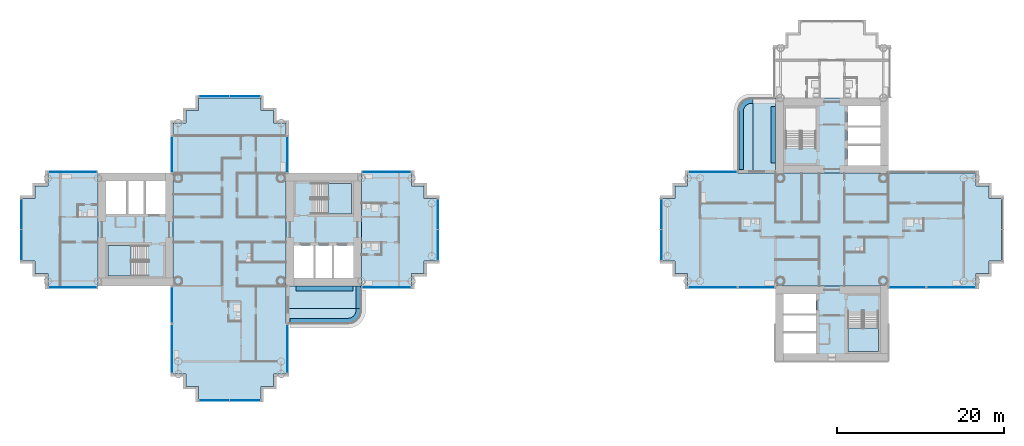
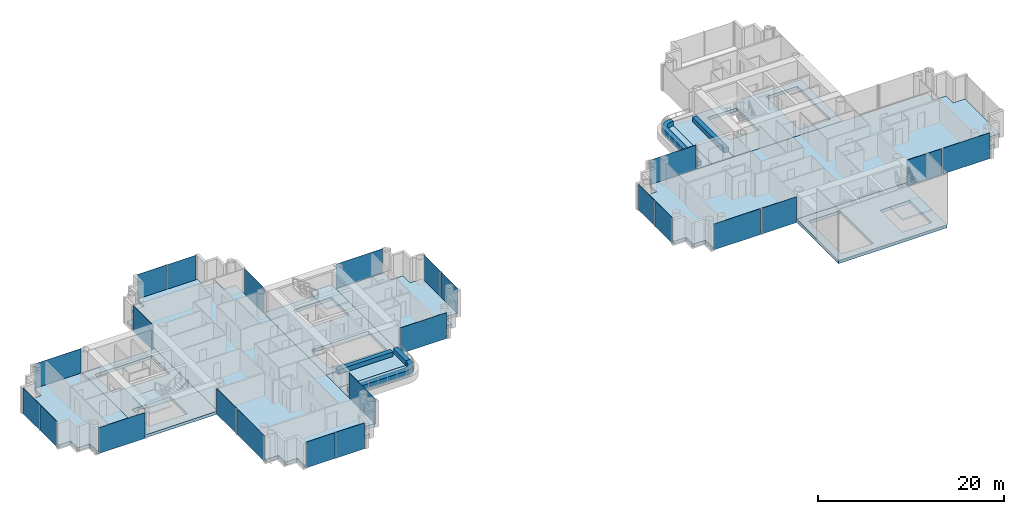
# One storey, part 7 of 21: 24 plates, 20 slabs, 22 elements without a shape of their own.
"""IFC4 building model written with IfcOpenShell, lengths in metres."""

from ifc_helpers import new_model, si_unit, direction, frame, origin, origin_2d, place, context, subcontext, project, spatial, polyline, rectangle, outline, extrude, material, layer, layer_set, type_object, element, aggregate, save


model = new_model("IFC4")

# Units and contexts
model_context = context("Model", 3, precision=1e-05, world=origin(), true_north=direction((0.0, 1.0)))
body_context = subcontext(model_context, "Body", "Model", "MODEL_VIEW")
ifc_project = project(units=[si_unit("LENGTHUNIT", "METRE"), si_unit("AREAUNIT", "SQUARE_METRE"), si_unit("VOLUMEUNIT", "CUBIC_METRE"), si_unit("PLANEANGLEUNIT", "RADIAN"), si_unit("MASSUNIT", "GRAM", prefix="KILO")], contexts=[model_context])

# Site, building, storey
site_placement = place(None, origin())
site = spatial("IfcSite", under=ifc_project, at=site_placement, CompositionType="ELEMENT")
building_placement = place(site_placement, origin())
building = spatial("IfcBuilding", under=site, at=building_placement, Name="Ipe Terrace Towers", CompositionType="ELEMENT")
storey_placement = place(building_placement, frame((0.0, 0.0, 103.800048828125)))
storey = spatial("IfcBuildingStorey", under=building, at=storey_placement, Name="L28", CompositionType="ELEMENT", Elevation=103.800048828125)

# Slabs
ifc_material_1 = material(Name="Concrete C30/37", Category="concrete")
ifc_layer_1 = layer(ifc_material_1, 0.199951171875)
ifc_layer_set_1 = layer_set([ifc_layer_1], Name="BALCONY SLAB 200")
slab_type_1 = type_object("IfcSlabType", Name="BALCONY SLAB 200", PredefinedType="FLOOR", material=ifc_layer_set_1)
slab_1_placement = place(storey_placement, frame((0.0, 0.0, -0.219970703125)))
element("IfcSlab", 1, at=slab_1_placement, inside=storey, type_object=slab_type_1, Name="balcony slab", PredefinedType="FLOOR", context=body_context, shape_type="SweptSolid", body=[
    extrude(outline(polyline([(-20.25, -6.75), (-29.25, -6.75), (-29.25, -9.449951171875), (-20.25, -9.449951171875), (-20.25, -6.75)])), origin(), (0.0, 0.0, 1.0), 0.199951171875),
])
slab_2_placement = place(storey_placement, frame((0.0, 0.0, -0.219970703125)))
element("IfcSlab", 2, at=slab_2_placement, inside=storey, type_object=slab_type_1, Name="balcony slab", PredefinedType="FLOOR", context=body_context, shape_type="SweptSolid", body=[
    extrude(outline(polyline([(-29.25, -11.25), (-21.85009765625, -11.25), (-21.64111328125, -11.236083984375), (-21.43603515625, -11.195068359375), (-21.238037109375, -11.1279296875), (-21.050048828125, -11.035888671875), (-20.8759765625, -10.9189453125), (-20.718994140625, -10.781005859375), (-20.5810546875, -10.6240234375), (-20.464111328125, -10.449951171875), (-20.3720703125, -10.261962890625), (-20.304931640625, -10.06396484375), (-20.263916015625, -9.85888671875), (-20.25, -9.64990234375), (-20.25, -9.449951171875), (-29.25, -9.449951171875), (-29.25, -11.25)])), origin(), (0.0, 0.0, 1.0), 0.199951171875),
])
slab_3_placement = place(storey_placement, frame((0.0, 0.0, -0.219970703125)))
element("IfcSlab", 3, at=slab_3_placement, inside=storey, type_object=slab_type_1, Name="balcony slab", PredefinedType="FLOOR", context=body_context, shape_type="SweptSolid", body=[
    extrude(outline(polyline([(29.25, 15.75), (26.550048828125, 15.75), (26.550048828125, 6.75), (29.25, 6.75), (29.25, 15.75)])), origin(), (0.0, 0.0, 1.0), 0.199951171875),
])
slab_4_placement = place(storey_placement, frame((0.0, 0.0, -0.219970703125)))
element("IfcSlab", 4, at=slab_4_placement, inside=storey, type_object=slab_type_1, Name="balcony slab", PredefinedType="FLOOR", context=body_context, shape_type="SweptSolid", body=[
    extrude(outline(polyline([(24.75, 6.75), (26.550048828125, 6.75), (26.550048828125, 15.75), (26.35009765625, 15.75), (26.14111328125, 15.736083984375), (25.93603515625, 15.695068359375), (25.738037109375, 15.6279296875), (25.550048828125, 15.535888671875), (25.3759765625, 15.4189453125), (25.218994140625, 15.281005859375), (25.0810546875, 15.1240234375), (24.964111328125, 14.949951171875), (24.8720703125, 14.761962890625), (24.804931640625, 14.56396484375), (24.763916015625, 14.35888671875), (24.75, 14.14990234375), (24.75, 6.75)])), origin(), (0.0, 0.0, 1.0), 0.199951171875),
])
ifc_material_2 = material(Name="Concrete C30/37", Category="concrete")
ifc_layer_2 = layer(ifc_material_2, 0.39990234375)
ifc_layer_set_2 = layer_set([ifc_layer_2], Name="CORE FLOOR SLAB 400 C30-37")
slab_type_2 = type_object("IfcSlabType", Name="CORE FLOOR SLAB 400 C30-37", PredefinedType="FLOOR", material=ifc_layer_set_2)
slab_5_placement = place(storey_placement, frame((0.0, 0.0, -0.400146484375)))
element("IfcSlab", 5, at=slab_5_placement, inside=storey, type_object=slab_type_2, Name="Core floor T1-C1", PredefinedType="FLOOR", context=body_context, shape_type="SweptSolid", body=[
    extrude(outline(polyline([(-29.25, -6.75), (-29.25, 6.75), (-20.25, 6.75), (-20.25, -6.75), (-29.25, -6.75)]), holes=[polyline([(-28.300048828125, -5.800048828125), (-21.199951171875, -5.800048828125), (-21.199951171875, -1.89990234375), (-28.300048828125, -1.89990234375), (-28.300048828125, -5.800048828125)]), polyline([(-26.199951171875, 5.550048828125), (-26.199951171875, 1.89990234375), (-21.449951171875, 1.89990234375), (-21.449951171875, 5.550048828125), (-26.199951171875, 5.550048828125)])]), origin(), (0.0, 0.0, 1.0), 0.400146484375),
])
slab_6_placement = place(storey_placement, frame((0.0, 0.0, -0.400146484375)))
element("IfcSlab", 6, at=slab_6_placement, inside=storey, type_object=slab_type_2, Name="Core floor T1-C2", PredefinedType="FLOOR", context=body_context, shape_type="SweptSolid", body=[
    extrude(outline(polyline([(-51.75, -6.75), (-51.75, 6.75), (-42.75, 6.75), (-42.75, -6.75), (-51.75, -6.75)]), holes=[polyline([(-45.800048828125, -5.550048828125), (-45.800048828125, -1.89990234375), (-50.550048828125, -1.89990234375), (-50.550048828125, -5.550048828125), (-45.800048828125, -5.550048828125)]), polyline([(-50.800048828125, 1.89990234375), (-43.699951171875, 1.89990234375), (-43.699951171875, 5.800048828125), (-50.800048828125, 5.800048828125), (-50.800048828125, 1.89990234375)])]), origin(), (0.0, 0.0, 1.0), 0.400146484375),
])
slab_7_placement = place(storey_placement, frame((0.0, 0.0, -0.400146484375)))
element("IfcSlab", 7, at=slab_7_placement, inside=storey, type_object=slab_type_2, Name="Core floor T2-C1", PredefinedType="FLOOR", context=body_context, shape_type="SweptSolid", body=[
    extrude(outline(polyline([(29.25, 6.75), (29.25, 15.75), (42.75, 15.75), (42.75, 6.75), (29.25, 6.75)]), holes=[polyline([(41.800048828125, 7.699951171875), (41.800048828125, 14.800048828125), (37.89990234375, 14.800048828125), (37.89990234375, 7.699951171875), (41.800048828125, 7.699951171875)]), polyline([(30.449951171875, 9.800048828125), (34.10009765625, 9.800048828125), (34.10009765625, 14.550048828125), (30.449951171875, 14.550048828125), (30.449951171875, 9.800048828125)])]), origin(), (0.0, 0.0, 1.0), 0.400146484375),
])
slab_8_placement = place(storey_placement, frame((0.0, 0.0, -0.400146484375)))
element("IfcSlab", 8, at=slab_8_placement, inside=storey, type_object=slab_type_2, Name="Core floor T2-C2", PredefinedType="FLOOR", context=body_context, shape_type="SweptSolid", body=[
    extrude(outline(polyline([(29.25, -15.75), (29.25, -6.75), (42.75, -6.75), (42.75, -15.75), (29.25, -15.75)]), holes=[polyline([(34.10009765625, -14.800048828125), (34.10009765625, -7.699951171875), (30.199951171875, -7.699951171875), (30.199951171875, -14.800048828125), (34.10009765625, -14.800048828125)]), polyline([(41.550048828125, -9.800048828125), (37.89990234375, -9.800048828125), (37.89990234375, -14.550048828125), (41.550048828125, -14.550048828125), (41.550048828125, -9.800048828125)])]), origin(), (0.0, 0.0, 1.0), 0.400146484375),
])

# Stair, slab
ifc_material_3 = material(Name="Concrete C30/37", Category="concrete")
stair_type = type_object("IfcStairType", Name="Protected exit stair", PredefinedType="HALF_TURN_STAIR", material=ifc_material_3)
stair_1_placement = place(storey_placement, origin())
stair_1 = element("IfcStair", 9, at=stair_1_placement, inside=storey, type_object=stair_type, Name="L28 Exit stair T1-C1", PredefinedType="HALF_TURN_STAIR")
ifc_material_4 = material(Name="Concrete C30/37", Category="concrete")
ifc_layer_3 = layer(ifc_material_4, 0.199951171875)
ifc_layer_set_3 = layer_set([ifc_layer_3], Name="Exit stair landing 200")
slab_type_3 = type_object("IfcSlabType", Name="Exit stair landing 200", PredefinedType="LANDING", material=ifc_layer_set_3)
slab_9_placement = place(storey_placement, frame((0.0, 0.0, 1.5)))
slab_9 = element("IfcSlab", 10, at=slab_9_placement, type_object=slab_type_3, Name="T1-ST1 landing 1", PredefinedType="LANDING", context=body_context, shape_type="SweptSolid", body=[
    extrude(outline(polyline([(-24.219970703125, 1.89990234375), (-21.449951171875, 1.89990234375), (-21.449951171875, 5.550048828125), (-24.219970703125, 5.550048828125), (-24.219970703125, 1.89990234375)])), origin(), (0.0, 0.0, 1.0), 0.199951171875),
])
aggregate(stair_1, [slab_9])

stair_2_placement = place(storey_placement, origin())
stair_2 = element("IfcStair", 11, at=stair_2_placement, inside=storey, type_object=stair_type, Name="L28 Exit stair T1-C2", PredefinedType="HALF_TURN_STAIR")
slab_10_placement = place(storey_placement, frame((0.0, 0.0, 1.5)))
slab_10 = element("IfcSlab", 12, at=slab_10_placement, type_object=slab_type_3, Name="T1-ST2 landing 1", PredefinedType="LANDING", context=body_context, shape_type="SweptSolid", body=[
    extrude(outline(polyline([(-47.780029296875, -1.89990234375), (-50.550048828125, -1.89990234375), (-50.550048828125, -5.550048828125), (-47.780029296875, -5.550048828125), (-47.780029296875, -1.89990234375)])), origin(), (0.0, 0.0, 1.0), 0.199951171875),
])
aggregate(stair_2, [slab_10])

stair_3_placement = place(storey_placement, origin())
stair_3 = element("IfcStair", 13, at=stair_3_placement, inside=storey, type_object=stair_type, Name="L28 Exit stair T2-C2", PredefinedType="HALF_TURN_STAIR")
slab_11_placement = place(storey_placement, frame((0.0, 0.0, 1.5)))
slab_11 = element("IfcSlab", 14, at=slab_11_placement, type_object=slab_type_3, Name="T2-ST2 landing 1", PredefinedType="LANDING", context=body_context, shape_type="SweptSolid", body=[
    extrude(outline(polyline([(37.89990234375, -11.780029296875), (37.89990234375, -14.550048828125), (41.550048828125, -14.550048828125), (41.550048828125, -11.780029296875), (37.89990234375, -11.780029296875)])), origin(), (0.0, 0.0, 1.0), 0.199951171875),
])
aggregate(stair_3, [slab_11])

# Slabs
ifc_material_5 = material(Name="Concrete C40/50", Category="concrete")
ifc_layer_4 = layer(ifc_material_5, 0.39990234375)
ifc_layer_set_4 = layer_set([ifc_layer_4], Name="FLAT PLATE SLAB 400 C40-50")
slab_type_4 = type_object("IfcSlabType", Name="FLAT PLATE SLAB 400 C40-50", PredefinedType="FLOOR", material=ifc_layer_set_4)
slab_12_placement = place(storey_placement, frame((0.0, 0.0, -0.400146484375)))
element("IfcSlab", 15, at=slab_12_placement, inside=storey, type_object=slab_type_4, Name="Slab T1-FS-Z21", PredefinedType="FLOOR", context=body_context, shape_type="SweptSolid", body=[
    extrude(outline(polyline([(-30.75, -17.25), (-30.75, -18.75), (-32.25, -18.75), (-32.25, -20.25), (-39.75, -20.25), (-39.75, -18.75), (-41.25, -18.75), (-41.25, -17.25), (-42.75, -17.25), (-42.75, -6.75), (-42.75, 6.75), (-42.75, 12.75), (-41.25, 12.75), (-41.25, 14.25), (-39.75, 14.25), (-39.75, 15.75), (-32.25, 15.75), (-32.25, 14.25), (-30.75, 14.25), (-30.75, 12.75), (-29.25, 12.75), (-29.25, 6.75), (-29.25, -6.75), (-29.25, -17.25), (-30.75, -17.25)])), origin(), (0.0, 0.0, 1.0), 0.400146484375),
])
slab_13_placement = place(storey_placement, frame((0.0, 0.0, -0.400146484375)))
element("IfcSlab", 16, at=slab_13_placement, inside=storey, type_object=slab_type_4, Name="Slab T1-FS-Z22", PredefinedType="FLOOR", context=body_context, shape_type="SweptSolid", body=[
    extrude(outline(polyline([(-57.75, -6.75), (-57.75, -5.25), (-59.25, -5.25), (-59.25, -3.75), (-60.75, -3.75), (-60.75, 3.75), (-59.25, 3.75), (-59.25, 5.25), (-57.75, 5.25), (-57.75, 6.75), (-51.75, 6.75), (-51.75, -6.75), (-57.75, -6.75)])), origin(), (0.0, 0.0, 1.0), 0.400146484375),
])
slab_14_placement = place(storey_placement, frame((0.0, 0.0, -0.400146484375)))
element("IfcSlab", 17, at=slab_14_placement, inside=storey, type_object=slab_type_4, Name="Slab T1-FS-Z23", PredefinedType="FLOOR", context=body_context, shape_type="SweptSolid", body=[
    extrude(outline(polyline([(-14.25, 5.25), (-12.75, 5.25), (-12.75, 3.75), (-11.25, 3.75), (-11.25, -3.75), (-12.75, -3.75), (-12.75, -5.25), (-14.25, -5.25), (-14.25, -6.75), (-20.25, -6.75), (-20.25, 6.75), (-14.25, 6.75), (-14.25, 5.25)])), origin(), (0.0, 0.0, 1.0), 0.400146484375),
])
slab_15_placement = place(storey_placement, frame((0.0, 0.0, -0.400146484375)))
element("IfcSlab", 18, at=slab_15_placement, inside=storey, type_object=slab_type_4, Name="Slab T2-FS-Z21", PredefinedType="FLOOR", context=body_context, shape_type="SweptSolid", body=[
    extrude(outline(polyline([(53.25, 5.25), (54.75, 5.25), (54.75, 3.75), (56.25, 3.75), (56.25, -3.75), (54.75, -3.75), (54.75, -5.25), (53.25, -5.25), (53.25, -6.75), (42.75, -6.75), (29.25, -6.75), (18.75, -6.75), (18.75, -5.25), (17.25, -5.25), (17.25, -3.75), (15.75, -3.75), (15.75, 3.75), (17.25, 3.75), (17.25, 5.25), (18.75, 5.25), (18.75, 6.75), (29.25, 6.75), (42.75, 6.75), (53.25, 6.75), (53.25, 5.25)])), origin(), (0.0, 0.0, 1.0), 0.400146484375),
])
ifc_material_6 = material(Name="Concrete C30/37", Category="concrete")
ifc_layer_5 = layer(ifc_material_6, 0.60009765625)
ifc_layer_set_5 = layer_set([ifc_layer_5], Name="PLANTER TROUGH 550 x 600")
slab_type_5 = type_object("IfcSlabType", Name="PLANTER TROUGH 550 x 600", PredefinedType="USERDEFINED", material=ifc_layer_set_5)
slab_16_placement = place(storey_placement, frame((0.0, 0.0, -0.02001953125)))
element("IfcSlab", 19, at=slab_16_placement, inside=storey, type_object=slab_type_5, Name="planter", ObjectType="PLANTER", PredefinedType="USERDEFINED", context=body_context, shape_type="SweptSolid", body=[
    extrude(outline(polyline([(-20.360107421875, -6.75), (-20.909912109375, -6.75), (-20.909912109375, -9.449951171875), (-20.360107421875, -9.449951171875), (-20.360107421875, -6.75)])), origin(), (0.0, 0.0, 1.0), 0.599853515625),
])
slab_17_placement = place(storey_placement, frame((0.0, 0.0, -0.02001953125)))
element("IfcSlab", 20, at=slab_17_placement, inside=storey, type_object=slab_type_5, Name="planter", ObjectType="PLANTER", PredefinedType="USERDEFINED", context=body_context, shape_type="SweptSolid", body=[
    extrude(outline(polyline([(-20.943115234375, -9.89306640625), (-20.98291015625, -10.009033203125), (-21.037109375, -10.118896484375), (-21.10498046875, -10.220947265625), (-21.18603515625, -10.31396484375), (-21.279052734375, -10.39501953125), (-21.381103515625, -10.462890625), (-21.490966796875, -10.51708984375), (-21.60693359375, -10.556884765625), (-21.72705078125, -10.5810546875), (-21.8720703125, -10.590087890625), (-28.800048828125, -10.590087890625), (-28.800048828125, -11.139892578125), (-21.863037109375, -11.139892578125), (-21.844970703125, -11.138916015625), (-21.674072265625, -11.1279296875), (-21.637939453125, -11.1240234375), (-21.48193359375, -11.093017578125), (-21.447021484375, -11.0830078125), (-21.297119140625, -11.031982421875), (-21.263916015625, -11.01806640625), (-21.12109375, -10.947998046875), (-21.090087890625, -10.929931640625), (-20.9580078125, -10.842041015625), (-20.929931640625, -10.820068359375), (-20.81005859375, -10.715087890625), (-20.784912109375, -10.68994140625), (-20.679931640625, -10.570068359375), (-20.657958984375, -10.5419921875), (-20.570068359375, -10.409912109375), (-20.552001953125, -10.37890625), (-20.48193359375, -10.236083984375), (-20.468017578125, -10.202880859375), (-20.4169921875, -10.052978515625), (-20.406982421875, -10.01806640625), (-20.3759765625, -9.862060546875), (-20.3720703125, -9.825927734375), (-20.361083984375, -9.655029296875), (-20.360107421875, -9.636962890625), (-20.360107421875, -9.449951171875), (-20.909912109375, -9.449951171875), (-20.909912109375, -9.6279296875), (-20.9189453125, -9.77294921875), (-20.943115234375, -9.89306640625)])), origin(), (0.0, 0.0, 1.0), 0.599853515625),
])
slab_18_placement = place(storey_placement, frame((0.0, 0.0, -0.02001953125)))
element("IfcSlab", 21, at=slab_18_placement, inside=storey, type_object=slab_type_5, Name="planter", ObjectType="PLANTER", PredefinedType="USERDEFINED", context=body_context, shape_type="SweptSolid", body=[
    extrude(outline(polyline([(-28.050048828125, -6.75), (-28.050048828125, -7.300048828125), (-21.25, -7.300048828125), (-21.25, -6.75), (-28.050048828125, -6.75)])), origin(), (0.0, 0.0, 1.0), 0.599853515625),
])
slab_19_placement = place(storey_placement, frame((0.0, 0.0, -0.02001953125)))
element("IfcSlab", 22, at=slab_19_placement, inside=storey, type_object=slab_type_5, Name="planter", ObjectType="PLANTER", PredefinedType="USERDEFINED", context=body_context, shape_type="SweptSolid", body=[
    extrude(outline(polyline([(26.10693359375, 15.056884765625), (26.22705078125, 15.0810546875), (26.3720703125, 15.090087890625), (26.550048828125, 15.090087890625), (26.550048828125, 15.639892578125), (26.363037109375, 15.639892578125), (26.344970703125, 15.638916015625), (26.174072265625, 15.6279296875), (26.137939453125, 15.6240234375), (25.98193359375, 15.593017578125), (25.947021484375, 15.5830078125), (25.797119140625, 15.531982421875), (25.763916015625, 15.51806640625), (25.62109375, 15.447998046875), (25.590087890625, 15.429931640625), (25.4580078125, 15.342041015625), (25.429931640625, 15.320068359375), (25.31005859375, 15.215087890625), (25.284912109375, 15.18994140625), (25.179931640625, 15.070068359375), (25.157958984375, 15.0419921875), (25.070068359375, 14.909912109375), (25.052001953125, 14.87890625), (24.98193359375, 14.736083984375), (24.968017578125, 14.702880859375), (24.9169921875, 14.552978515625), (24.906982421875, 14.51806640625), (24.8759765625, 14.362060546875), (24.8720703125, 14.325927734375), (24.861083984375, 14.155029296875), (24.860107421875, 14.136962890625), (24.860107421875, 7.199951171875), (25.409912109375, 7.199951171875), (25.409912109375, 14.1279296875), (25.4189453125, 14.27294921875), (25.443115234375, 14.39306640625), (25.48291015625, 14.509033203125), (25.537109375, 14.618896484375), (25.60498046875, 14.720947265625), (25.68603515625, 14.81396484375), (25.779052734375, 14.89501953125), (25.881103515625, 14.962890625), (25.990966796875, 15.01708984375), (26.10693359375, 15.056884765625)])), origin(), (0.0, 0.0, 1.0), 0.599853515625),
])
slab_20_placement = place(storey_placement, frame((0.0, 0.0, -0.02001953125)))
element("IfcSlab", 23, at=slab_20_placement, inside=storey, type_object=slab_type_5, Name="planter", ObjectType="PLANTER", PredefinedType="USERDEFINED", context=body_context, shape_type="SweptSolid", body=[
    extrude(outline(polyline([(29.25, 7.949951171875), (29.25, 14.75), (28.699951171875, 14.75), (28.699951171875, 7.949951171875), (29.25, 7.949951171875)])), origin(), (0.0, 0.0, 1.0), 0.599853515625),
])

# Curtain wall, plate
ifc_material_7 = material(Name="Aluminium alloy 6063-T6", Category="aluminium")
ifc_layer_6 = layer(ifc_material_7, 0.320068359375)
ifc_layer_set_6 = layer_set([ifc_layer_6], Name="TOWER UNITISED CURTAIN WALL")
curtain_wall_type = type_object("IfcCurtainWallType", Name="TOWER UNITISED CURTAIN WALL", PredefinedType="NOTDEFINED", material=ifc_layer_set_6)
curtain_wall_1_placement = place(storey_placement, origin())
curtain_wall_1 = element("IfcCurtainWall", 24, at=curtain_wall_1_placement, inside=storey, type_object=curtain_wall_type, Name="T1-CW-L28-04a curtain wall", PredefinedType="NOTDEFINED")
ifc_material_8 = material(Name="Glass, clear laminated", Category="glass")
ifc_layer_7 = layer(ifc_material_8, 0.031982421875)
ifc_layer_set_7 = layer_set([ifc_layer_7], Name="TOWER UNITISED GLASS PANEL 32")
plate_type = type_object("IfcPlateType", Name="TOWER UNITISED GLASS PANEL 32", PredefinedType="CURTAIN_PANEL", material=ifc_layer_set_7)
plate_1_placement = place(storey_placement, frame((-54.75048828125, -6.909912109375, -0.300048828125), z_axis=(0.0, 0.0, 1.0), x_axis=(1.0, 0.0, 0.0)))
plate_1 = element("IfcPlate", 25, at=plate_1_placement, type_object=plate_type, Name="T1-CW-L28-04a panel 1", PredefinedType="CURTAIN_PANEL", context=body_context, shape_type="SweptSolid", body=[
    extrude(rectangle(XDim=5.759033203125, YDim=0.031982421875, at=origin_2d()), origin(), (0.0, 0.0, 1.0), 3.39990234375),
])
aggregate(curtain_wall_1, [plate_1])

curtain_wall_2_placement = place(storey_placement, origin())
curtain_wall_2 = element("IfcCurtainWall", 26, at=curtain_wall_2_placement, inside=storey, type_object=curtain_wall_type, Name="T1-CW-L28-06a curtain wall", PredefinedType="NOTDEFINED")
plate_2_placement = place(storey_placement, frame((-42.909912109375, -9.0, -0.300048828125), z_axis=(0.0, 0.0, 1.0), x_axis=(0.0, -1.0, 0.0)))
plate_2 = element("IfcPlate", 27, at=plate_2_placement, type_object=plate_type, Name="T1-CW-L28-06a panel 1", PredefinedType="CURTAIN_PANEL", context=body_context, shape_type="SweptSolid", body=[
    extrude(rectangle(XDim=4.260009765625, YDim=0.031982421875, at=origin_2d()), origin(), (0.0, 0.0, 1.0), 3.39990234375),
])
aggregate(curtain_wall_2, [plate_2])

curtain_wall_3_placement = place(storey_placement, origin())
curtain_wall_3 = element("IfcCurtainWall", 28, at=curtain_wall_3_placement, inside=storey, type_object=curtain_wall_type, Name="T1-CW-L28-07a curtain wall", PredefinedType="NOTDEFINED")
plate_3_placement = place(storey_placement, frame((-42.909912109375, -14.25, -0.300048828125), z_axis=(0.0, 0.0, 1.0), x_axis=(0.0, -1.0, 0.0)))
plate_3 = element("IfcPlate", 29, at=plate_3_placement, type_object=plate_type, Name="T1-CW-L28-07a panel 1", PredefinedType="CURTAIN_PANEL", context=body_context, shape_type="SweptSolid", body=[
    extrude(rectangle(XDim=5.760009765625, YDim=0.031982421875, at=origin_2d()), origin(), (0.0, 0.0, 1.0), 3.39990234375),
])
aggregate(curtain_wall_3, [plate_3])

# Curtain wall, plates
curtain_wall_4_placement = place(storey_placement, origin())
curtain_wall_4 = element("IfcCurtainWall", 30, at=curtain_wall_4_placement, inside=storey, type_object=curtain_wall_type, Name="T1-CW-L28-12a curtain wall", PredefinedType="NOTDEFINED")
plate_4_placement = place(storey_placement, frame((-37.831298828125, -20.409912109375, -0.300048828125), z_axis=(0.0, 0.0, 1.0), x_axis=(1.0, 0.0, 0.0)))
plate_4 = element("IfcPlate", 31, at=plate_4_placement, type_object=plate_type, Name="T1-CW-L28-12a panel 1", PredefinedType="CURTAIN_PANEL", context=body_context, shape_type="SweptSolid", body=[
    extrude(rectangle(XDim=3.597412109375, YDim=0.031982421875, at=origin_2d()), origin(), (0.0, 0.0, 1.0), 3.39990234375),
])
plate_5_placement = place(storey_placement, frame((-34.168701171875, -20.409912109375, -0.300048828125), z_axis=(0.0, 0.0, 1.0), x_axis=(1.0, 0.0, 0.0)))
plate_5 = element("IfcPlate", 32, at=plate_5_placement, type_object=plate_type, Name="T1-CW-L28-12a panel 2", PredefinedType="CURTAIN_PANEL", context=body_context, shape_type="SweptSolid", body=[
    extrude(rectangle(XDim=3.597412109375, YDim=0.031982421875, at=origin_2d()), origin(), (0.0, 0.0, 1.0), 3.39990234375),
])
aggregate(curtain_wall_4, [plate_4, plate_5])

# Curtain wall, plate
curtain_wall_5_placement = place(storey_placement, origin())
curtain_wall_5 = element("IfcCurtainWall", 33, at=curtain_wall_5_placement, inside=storey, type_object=curtain_wall_type, Name="T1-CW-L28-17a curtain wall", PredefinedType="NOTDEFINED")
plate_6_placement = place(storey_placement, frame((-29.090087890625, -14.25, -0.300048828125), z_axis=(0.0, 0.0, 1.0), x_axis=(0.0, 1.0, 0.0)))
plate_6 = element("IfcPlate", 34, at=plate_6_placement, type_object=plate_type, Name="T1-CW-L28-17a panel 1", PredefinedType="CURTAIN_PANEL", context=body_context, shape_type="SweptSolid", body=[
    extrude(rectangle(XDim=5.760009765625, YDim=0.031982421875, at=origin_2d()), origin(), (0.0, 0.0, 1.0), 3.39990234375),
])
aggregate(curtain_wall_5, [plate_6])

curtain_wall_6_placement = place(storey_placement, origin())
curtain_wall_6 = element("IfcCurtainWall", 35, at=curtain_wall_6_placement, inside=storey, type_object=curtain_wall_type, Name="T1-CW-L28-20b curtain wall", PredefinedType="NOTDEFINED")
plate_7_placement = place(storey_placement, frame((-17.24951171875, -6.909912109375, -0.300048828125), z_axis=(0.0, 0.0, 1.0), x_axis=(1.0, 0.0, 0.0)))
plate_7 = element("IfcPlate", 36, at=plate_7_placement, type_object=plate_type, Name="T1-CW-L28-20b panel 1", PredefinedType="CURTAIN_PANEL", context=body_context, shape_type="SweptSolid", body=[
    extrude(rectangle(XDim=5.759033203125, YDim=0.031982421875, at=origin_2d()), origin(), (0.0, 0.0, 1.0), 3.39990234375),
])
aggregate(curtain_wall_6, [plate_7])

# Curtain wall, plates
curtain_wall_7_placement = place(storey_placement, origin())
curtain_wall_7 = element("IfcCurtainWall", 37, at=curtain_wall_7_placement, inside=storey, type_object=curtain_wall_type, Name="T1-CW-L28-25a curtain wall", PredefinedType="NOTDEFINED")
plate_8_placement = place(storey_placement, frame((-11.090087890625, -1.831298828125, -0.300048828125), z_axis=(0.0, 0.0, 1.0), x_axis=(0.0, 1.0, 0.0)))
plate_8 = element("IfcPlate", 38, at=plate_8_placement, type_object=plate_type, Name="T1-CW-L28-25a panel 1", PredefinedType="CURTAIN_PANEL", context=body_context, shape_type="SweptSolid", body=[
    extrude(rectangle(XDim=3.597412109375, YDim=0.031982421875, at=origin_2d()), origin(), (0.0, 0.0, 1.0), 3.39990234375),
])
plate_9_placement = place(storey_placement, frame((-11.090087890625, 1.831298828125, -0.300048828125), z_axis=(0.0, 0.0, 1.0), x_axis=(0.0, 1.0, 0.0)))
plate_9 = element("IfcPlate", 39, at=plate_9_placement, type_object=plate_type, Name="T1-CW-L28-25a panel 2", PredefinedType="CURTAIN_PANEL", context=body_context, shape_type="SweptSolid", body=[
    extrude(rectangle(XDim=3.597412109375, YDim=0.031982421875, at=origin_2d()), origin(), (0.0, 0.0, 1.0), 3.39990234375),
])
aggregate(curtain_wall_7, [plate_8, plate_9])

# Curtain wall, plate
curtain_wall_8_placement = place(storey_placement, origin())
curtain_wall_8 = element("IfcCurtainWall", 40, at=curtain_wall_8_placement, inside=storey, type_object=curtain_wall_type, Name="T1-CW-L28-30a curtain wall", PredefinedType="NOTDEFINED")
plate_10_placement = place(storey_placement, frame((-17.24951171875, 6.909912109375, -0.300048828125), z_axis=(0.0, 0.0, 1.0), x_axis=(-1.0, 0.0, 0.0)))
plate_10 = element("IfcPlate", 41, at=plate_10_placement, type_object=plate_type, Name="T1-CW-L28-30a panel 1", PredefinedType="CURTAIN_PANEL", context=body_context, shape_type="SweptSolid", body=[
    extrude(rectangle(XDim=5.759033203125, YDim=0.031982421875, at=origin_2d()), origin(), (0.0, 0.0, 1.0), 3.39990234375),
])
aggregate(curtain_wall_8, [plate_10])

curtain_wall_9_placement = place(storey_placement, origin())
curtain_wall_9 = element("IfcCurtainWall", 42, at=curtain_wall_9_placement, inside=storey, type_object=curtain_wall_type, Name="T1-CW-L28-32a curtain wall", PredefinedType="NOTDEFINED")
plate_11_placement = place(storey_placement, frame((-29.090087890625, 9.0, -0.300048828125), z_axis=(0.0, 0.0, 1.0), x_axis=(0.0, 1.0, 0.0)))
plate_11 = element("IfcPlate", 43, at=plate_11_placement, type_object=plate_type, Name="T1-CW-L28-32a panel 1", PredefinedType="CURTAIN_PANEL", context=body_context, shape_type="SweptSolid", body=[
    extrude(rectangle(XDim=4.260009765625, YDim=0.031982421875, at=origin_2d()), origin(), (0.0, 0.0, 1.0), 3.39990234375),
])
aggregate(curtain_wall_9, [plate_11])

# Curtain wall, plates
curtain_wall_10_placement = place(storey_placement, origin())
curtain_wall_10 = element("IfcCurtainWall", 44, at=curtain_wall_10_placement, inside=storey, type_object=curtain_wall_type, Name="T1-CW-L28-38a curtain wall", PredefinedType="NOTDEFINED")
plate_12_placement = place(storey_placement, frame((-34.168701171875, 15.909912109375, -0.300048828125), z_axis=(0.0, 0.0, 1.0), x_axis=(-1.0, 0.0, 0.0)))
plate_12 = element("IfcPlate", 45, at=plate_12_placement, type_object=plate_type, Name="T1-CW-L28-38a panel 1", PredefinedType="CURTAIN_PANEL", context=body_context, shape_type="SweptSolid", body=[
    extrude(rectangle(XDim=3.597412109375, YDim=0.031982421875, at=origin_2d()), origin(), (0.0, 0.0, 1.0), 3.39990234375),
])
plate_13_placement = place(storey_placement, frame((-37.831298828125, 15.909912109375, -0.300048828125), z_axis=(0.0, 0.0, 1.0), x_axis=(-1.0, 0.0, 0.0)))
plate_13 = element("IfcPlate", 46, at=plate_13_placement, type_object=plate_type, Name="T1-CW-L28-38a panel 2", PredefinedType="CURTAIN_PANEL", context=body_context, shape_type="SweptSolid", body=[
    extrude(rectangle(XDim=3.597412109375, YDim=0.031982421875, at=origin_2d()), origin(), (0.0, 0.0, 1.0), 3.39990234375),
])
aggregate(curtain_wall_10, [plate_12, plate_13])

# Curtain wall, plate
curtain_wall_11_placement = place(storey_placement, origin())
curtain_wall_11 = element("IfcCurtainWall", 47, at=curtain_wall_11_placement, inside=storey, type_object=curtain_wall_type, Name="T1-CW-L28-44a curtain wall", PredefinedType="NOTDEFINED")
plate_14_placement = place(storey_placement, frame((-42.909912109375, 9.0, -0.300048828125), z_axis=(0.0, 0.0, 1.0), x_axis=(0.0, -1.0, 0.0)))
plate_14 = element("IfcPlate", 48, at=plate_14_placement, type_object=plate_type, Name="T1-CW-L28-44a panel 1", PredefinedType="CURTAIN_PANEL", context=body_context, shape_type="SweptSolid", body=[
    extrude(rectangle(XDim=4.260009765625, YDim=0.031982421875, at=origin_2d()), origin(), (0.0, 0.0, 1.0), 3.39990234375),
])
aggregate(curtain_wall_11, [plate_14])

curtain_wall_12_placement = place(storey_placement, origin())
curtain_wall_12 = element("IfcCurtainWall", 49, at=curtain_wall_12_placement, inside=storey, type_object=curtain_wall_type, Name="T1-CW-L28-46b curtain wall", PredefinedType="NOTDEFINED")
plate_15_placement = place(storey_placement, frame((-54.75048828125, 6.909912109375, -0.300048828125), z_axis=(0.0, 0.0, 1.0), x_axis=(-1.0, 0.0, 0.0)))
plate_15 = element("IfcPlate", 50, at=plate_15_placement, type_object=plate_type, Name="T1-CW-L28-46b panel 1", PredefinedType="CURTAIN_PANEL", context=body_context, shape_type="SweptSolid", body=[
    extrude(rectangle(XDim=5.759033203125, YDim=0.031982421875, at=origin_2d()), origin(), (0.0, 0.0, 1.0), 3.39990234375),
])
aggregate(curtain_wall_12, [plate_15])

# Curtain wall, plates
curtain_wall_13_placement = place(storey_placement, origin())
curtain_wall_13 = element("IfcCurtainWall", 51, at=curtain_wall_13_placement, inside=storey, type_object=curtain_wall_type, Name="T1-CW-L28-51a curtain wall", PredefinedType="NOTDEFINED")
plate_16_placement = place(storey_placement, frame((-60.909912109375, 1.831298828125, -0.300048828125), z_axis=(0.0, 0.0, 1.0), x_axis=(0.0, -1.0, 0.0)))
plate_16 = element("IfcPlate", 52, at=plate_16_placement, type_object=plate_type, Name="T1-CW-L28-51a panel 1", PredefinedType="CURTAIN_PANEL", context=body_context, shape_type="SweptSolid", body=[
    extrude(rectangle(XDim=3.597412109375, YDim=0.031982421875, at=origin_2d()), origin(), (0.0, 0.0, 1.0), 3.39990234375),
])
plate_17_placement = place(storey_placement, frame((-60.909912109375, -1.831298828125, -0.300048828125), z_axis=(0.0, 0.0, 1.0), x_axis=(0.0, -1.0, 0.0)))
plate_17 = element("IfcPlate", 53, at=plate_17_placement, type_object=plate_type, Name="T1-CW-L28-51a panel 2", PredefinedType="CURTAIN_PANEL", context=body_context, shape_type="SweptSolid", body=[
    extrude(rectangle(XDim=3.597412109375, YDim=0.031982421875, at=origin_2d()), origin(), (0.0, 0.0, 1.0), 3.39990234375),
])
aggregate(curtain_wall_13, [plate_16, plate_17])

# Curtain wall, plate
curtain_wall_14_placement = place(storey_placement, origin())
curtain_wall_14 = element("IfcCurtainWall", 54, at=curtain_wall_14_placement, inside=storey, type_object=curtain_wall_type, Name="T2-CW-L28-02a curtain wall", PredefinedType="NOTDEFINED")
plate_18_placement = place(storey_placement, frame((45.0, -6.909912109375, -0.300048828125), z_axis=(0.0, 0.0, 1.0), x_axis=(1.0, 0.0, 0.0)))
plate_18 = element("IfcPlate", 55, at=plate_18_placement, type_object=plate_type, Name="T2-CW-L28-02a panel 1", PredefinedType="CURTAIN_PANEL", context=body_context, shape_type="SweptSolid", body=[
    extrude(rectangle(XDim=4.260009765625, YDim=0.031982421875, at=origin_2d()), origin(), (0.0, 0.0, 1.0), 3.39990234375),
])
aggregate(curtain_wall_14, [plate_18])

curtain_wall_15_placement = place(storey_placement, origin())
curtain_wall_15 = element("IfcCurtainWall", 56, at=curtain_wall_15_placement, inside=storey, type_object=curtain_wall_type, Name="T2-CW-L28-03a curtain wall", PredefinedType="NOTDEFINED")
plate_19_placement = place(storey_placement, frame((50.25, -6.909912109375, -0.300048828125), z_axis=(0.0, 0.0, 1.0), x_axis=(1.0, 0.0, 0.0)))
plate_19 = element("IfcPlate", 57, at=plate_19_placement, type_object=plate_type, Name="T2-CW-L28-03a panel 1", PredefinedType="CURTAIN_PANEL", context=body_context, shape_type="SweptSolid", body=[
    extrude(rectangle(XDim=5.760009765625, YDim=0.031982421875, at=origin_2d()), origin(), (0.0, 0.0, 1.0), 3.39990234375),
])
aggregate(curtain_wall_15, [plate_19])

curtain_wall_16_placement = place(storey_placement, origin())
curtain_wall_16 = element("IfcCurtainWall", 58, at=curtain_wall_16_placement, inside=storey, type_object=curtain_wall_type, Name="T2-CW-L28-29a curtain wall", PredefinedType="NOTDEFINED")
plate_20_placement = place(storey_placement, frame((21.75, 6.909912109375, -0.300048828125), z_axis=(0.0, 0.0, 1.0), x_axis=(-1.0, 0.0, 0.0)))
plate_20 = element("IfcPlate", 59, at=plate_20_placement, type_object=plate_type, Name="T2-CW-L28-29a panel 1", PredefinedType="CURTAIN_PANEL", context=body_context, shape_type="SweptSolid", body=[
    extrude(rectangle(XDim=5.760009765625, YDim=0.031982421875, at=origin_2d()), origin(), (0.0, 0.0, 1.0), 3.39990234375),
])
aggregate(curtain_wall_16, [plate_20])

# Curtain wall, plates
curtain_wall_17_placement = place(storey_placement, origin())
curtain_wall_17 = element("IfcCurtainWall", 60, at=curtain_wall_17_placement, inside=storey, type_object=curtain_wall_type, Name="T2-CW-L28-34a curtain wall", PredefinedType="NOTDEFINED")
plate_21_placement = place(storey_placement, frame((15.590087890625, 1.831298828125, -0.300048828125), z_axis=(0.0, 0.0, 1.0), x_axis=(0.0, -1.0, 0.0)))
plate_21 = element("IfcPlate", 61, at=plate_21_placement, type_object=plate_type, Name="T2-CW-L28-34a panel 1", PredefinedType="CURTAIN_PANEL", context=body_context, shape_type="SweptSolid", body=[
    extrude(rectangle(XDim=3.597412109375, YDim=0.031982421875, at=origin_2d()), origin(), (0.0, 0.0, 1.0), 3.39990234375),
])
plate_22_placement = place(storey_placement, frame((15.590087890625, -1.831298828125, -0.300048828125), z_axis=(0.0, 0.0, 1.0), x_axis=(0.0, -1.0, 0.0)))
plate_22 = element("IfcPlate", 62, at=plate_22_placement, type_object=plate_type, Name="T2-CW-L28-34a panel 2", PredefinedType="CURTAIN_PANEL", context=body_context, shape_type="SweptSolid", body=[
    extrude(rectangle(XDim=3.597412109375, YDim=0.031982421875, at=origin_2d()), origin(), (0.0, 0.0, 1.0), 3.39990234375),
])
aggregate(curtain_wall_17, [plate_21, plate_22])

# Curtain wall, plate
curtain_wall_18_placement = place(storey_placement, origin())
curtain_wall_18 = element("IfcCurtainWall", 63, at=curtain_wall_18_placement, inside=storey, type_object=curtain_wall_type, Name="T2-CW-L28-39a curtain wall", PredefinedType="NOTDEFINED")
plate_23_placement = place(storey_placement, frame((21.75, -6.909912109375, -0.300048828125), z_axis=(0.0, 0.0, 1.0), x_axis=(1.0, 0.0, 0.0)))
plate_23 = element("IfcPlate", 64, at=plate_23_placement, type_object=plate_type, Name="T2-CW-L28-39a panel 1", PredefinedType="CURTAIN_PANEL", context=body_context, shape_type="SweptSolid", body=[
    extrude(rectangle(XDim=5.760009765625, YDim=0.031982421875, at=origin_2d()), origin(), (0.0, 0.0, 1.0), 3.39990234375),
])
aggregate(curtain_wall_18, [plate_23])

curtain_wall_19_placement = place(storey_placement, origin())
curtain_wall_19 = element("IfcCurtainWall", 65, at=curtain_wall_19_placement, inside=storey, type_object=curtain_wall_type, Name="T2-CW-L28-40a curtain wall", PredefinedType="NOTDEFINED")
plate_24_placement = place(storey_placement, frame((27.0, -6.909912109375, -0.300048828125), z_axis=(0.0, 0.0, 1.0), x_axis=(1.0, 0.0, 0.0)))
plate_24 = element("IfcPlate", 66, at=plate_24_placement, type_object=plate_type, Name="T2-CW-L28-40a panel 1", PredefinedType="CURTAIN_PANEL", context=body_context, shape_type="SweptSolid", body=[
    extrude(rectangle(XDim=4.260009765625, YDim=0.031982421875, at=origin_2d()), origin(), (0.0, 0.0, 1.0), 3.39990234375),
])
aggregate(curtain_wall_19, [plate_24])

save(model, "model.ifc")
